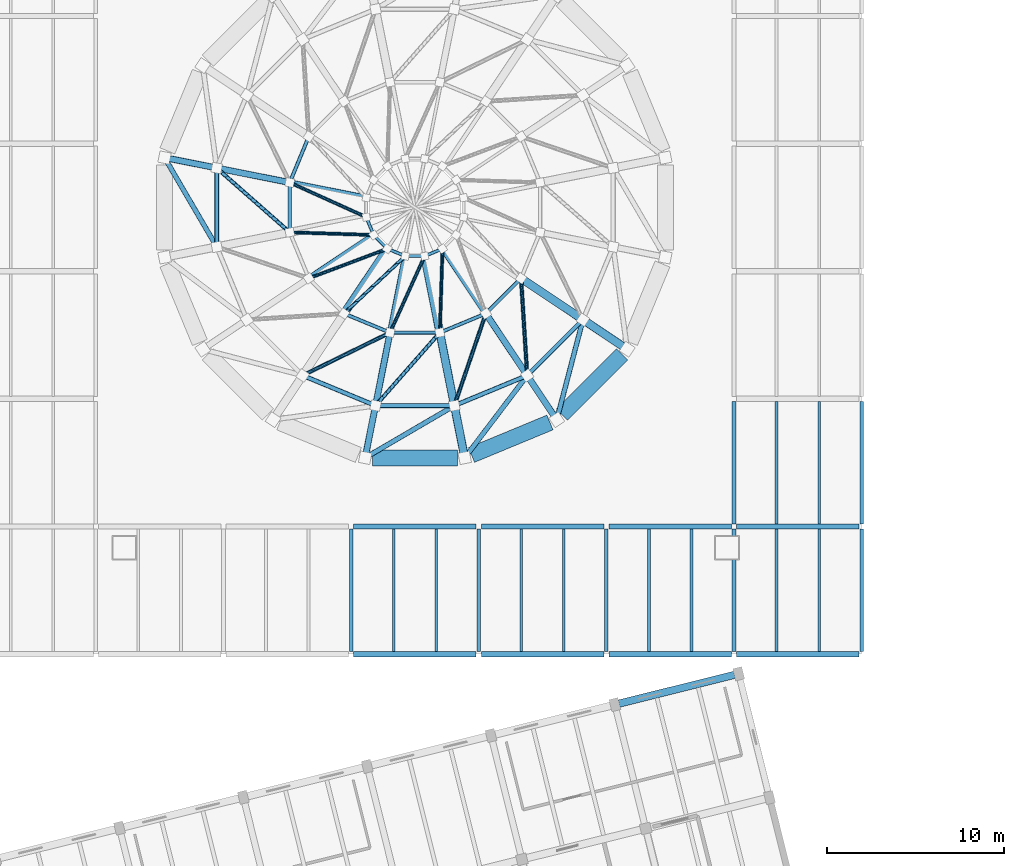
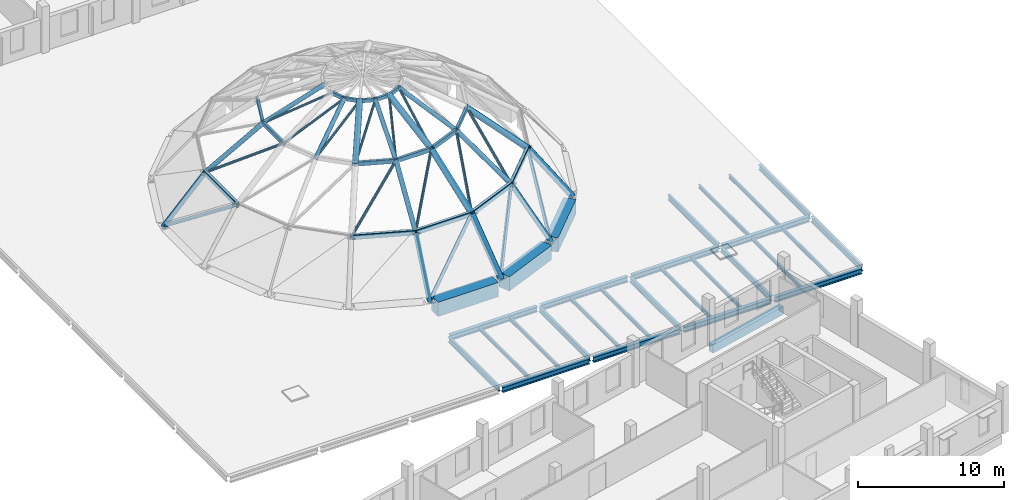
# One storey, part 7 of 32: 45 beams, 31 members.
"""IFC4 building model written with IfcOpenShell, lengths in metres."""

from ifc_helpers import new_model, si_unit, direction, frame, origin, origin_2d, place, context, subcontext, project, spatial, rectangle, hollow_rectangle, hollow_circle, i_section, extrude, material, material_profile, profile_set, type_object, element, save


model = new_model("IFC4")

# Units and contexts
model_context = context("Model", 3, precision=1e-05, world=origin(), true_north=direction((0.0, 1.0)))
body_context = subcontext(model_context, "Body", "Model", "MODEL_VIEW")
ifc_project = project(units=[si_unit("LENGTHUNIT", "METRE"), si_unit("AREAUNIT", "SQUARE_METRE"), si_unit("VOLUMEUNIT", "CUBIC_METRE"), si_unit("PLANEANGLEUNIT", "RADIAN"), si_unit("MASSUNIT", "GRAM", prefix="KILO")], contexts=[model_context])

# Site, building, storey
site_placement = place(None, origin())
site = spatial("IfcSite", under=ifc_project, at=site_placement, CompositionType="ELEMENT")
building_placement = place(site_placement, origin())
building = spatial("IfcBuilding", under=site, at=building_placement, Name="Qiaolan Assembly House", CompositionType="ELEMENT")
storey_placement = place(building_placement, frame((0.0, 0.0, 18.60009765625)))
storey = spatial("IfcBuildingStorey", under=building, at=storey_placement, Name="L04", CompositionType="ELEMENT", Elevation=18.60009765625)

# Beams
ifc_material_1 = material(Name="Steel Q355B", Category="steel")
ifc_material_profile_1 = material_profile(ifc_material_1, hollow_rectangle(XDim=0.179931640625, YDim=0.300048828125, WallThickness=0.010009765625, InnerFilletRadius=0.010009765625, OuterFilletRadius=0.02001953125, at=origin_2d()), Name="RHS 300x180x10")
ifc_profile_set_1 = profile_set([ifc_material_profile_1], Name="Steel Q355B")
beam_type_1 = type_object("IfcBeamType", Name="BM-DOME-RING-RHS300", PredefinedType="BEAM", material=ifc_profile_set_1)
for number, where, z_axis, x_axis, name in (
    (1, (65.623291015625, 60.7275390625, 9.199951171875), (0.382690409234, -0.923876642567, 0.0), (0.923876642567, 0.382690409234, 0.0), "DB-03 dome circumferential steel ring T3-9"),
    (2, (66.015380859375, 59.700927734375, 9.199951171875), (0.707106781187, -0.707106781187, 0.0), (0.707106781187, 0.707106781187, 0.0), "DB-03 dome circumferential steel ring T3-10"),
):
    element("IfcBeam", number, at=place(storey_placement, frame(where, z_axis=z_axis, x_axis=x_axis)), inside=storey, type_object=beam_type_1, Name=name, PredefinedType="BEAM", context=body_context, shape_type="SweptSolid", body=[
        extrude(hollow_rectangle(XDim=0.179931640625, YDim=0.300048828125, WallThickness=0.010009765625, InnerFilletRadius=0.010009765625, OuterFilletRadius=0.02001953125, at=origin_2d()), origin(), (0.0, 0.0, 1.0), 1.252197265625),
    ])
for number, where, z_axis, x_axis, name in (
    (3, (66.7705078125, 58.902587890625, 9.199951171875), (0.923836271867, -0.382787856107, 0.0), (0.382787856107, 0.923836271867, 0.0), "DB-03 dome circumferential steel ring T3-11"),
    (4, (67.773681640625, 58.453857421875, 9.199951171875), (1.0, 0.0, 0.0), (0.0, 1.0, 0.0), "DB-03 dome circumferential steel ring T3-12"),
    (5, (68.872314453125, 58.423095703125, 9.199951171875), (0.923836271867, 0.382787856107, 0.0), (-0.382787856107, 0.923836271867, 0.0), "DB-03 dome circumferential steel ring T3-13"),
):
    element("IfcBeam", number, at=place(storey_placement, frame(where, z_axis=z_axis, x_axis=x_axis)), inside=storey, type_object=beam_type_1, Name=name, PredefinedType="BEAM", context=body_context, shape_type="SweptSolid", body=[
        extrude(hollow_rectangle(XDim=0.179931640625, YDim=0.300048828125, WallThickness=0.010009765625, InnerFilletRadius=0.010009765625, OuterFilletRadius=0.02001953125, at=origin_2d()), origin(), (0.0, 0.0, 1.0), 1.252685546875),
    ])
ifc_material_profile_2 = material_profile(ifc_material_1, hollow_rectangle(XDim=0.199951171875, YDim=0.35009765625, WallThickness=0.010009765625, InnerFilletRadius=0.010009765625, OuterFilletRadius=0.02001953125, at=origin_2d()), Name="RHS 350x200x10")
ifc_profile_set_2 = profile_set([ifc_material_profile_2], Name="Steel Q355B")
beam_type_2 = type_object("IfcBeamType", Name="BM-DOME-RING-RHS350", PredefinedType="BEAM", material=ifc_profile_set_2)
for number, where, z_axis, x_axis, name in (
    (6, (62.444091796875, 65.27392578125, 7.0), (-0.382746343014, -0.923853471558, 0.0), (0.923853471558, -0.382746343014, 0.0), "DB-02 dome circumferential steel ring T2-7"),
    (7, (61.33837890625, 62.6845703125, 7.0), (0.0, -1.0, 0.0), (1.0, 0.0, 0.0), "DB-02 dome circumferential steel ring T2-8"),
):
    element("IfcBeam", number, at=place(storey_placement, frame(where, z_axis=z_axis, x_axis=x_axis)), inside=storey, type_object=beam_type_2, Name=name, PredefinedType="BEAM", context=body_context, shape_type="SweptSolid", body=[
        extrude(hollow_rectangle(XDim=0.199951171875, YDim=0.35009765625, WallThickness=0.010009765625, InnerFilletRadius=0.010009765625, OuterFilletRadius=0.02001953125, at=origin_2d()), origin(), (0.0, 0.0, 1.0), 2.96923828125),
    ])
for number, where, z_axis, x_axis, name in (
    (8, (64.325927734375, 55.244140625, 7.0), (0.92386551537, -0.382717270984, 0.0), (0.382717270984, 0.92386551537, 0.0), "DB-02 dome circumferential steel ring T2-11"),
    (9, (66.915283203125, 54.138427734375, 7.0), (1.0, 0.0, 0.0), (0.0, 1.0, 0.0), "DB-02 dome circumferential steel ring T2-12"),
    (10, (69.730712890625, 54.107666015625, 7.0), (0.92386551537, 0.382717270984, 0.0), (-0.382717270984, 0.92386551537, 0.0), "DB-02 dome circumferential steel ring T2-13"),
):
    element("IfcBeam", number, at=place(storey_placement, frame(where, z_axis=z_axis, x_axis=x_axis)), inside=storey, type_object=beam_type_2, Name=name, PredefinedType="BEAM", context=body_context, shape_type="SweptSolid", body=[
        extrude(hollow_rectangle(XDim=0.199951171875, YDim=0.35009765625, WallThickness=0.010009765625, InnerFilletRadius=0.010009765625, OuterFilletRadius=0.02001953125, at=origin_2d()), origin(), (0.0, 0.0, 1.0), 2.969482421875),
    ])
beam_1_placement = place(storey_placement, frame((72.343505859375, 55.15673828125, 7.0), z_axis=(0.707106781187, 0.707106781187, 0.0), x_axis=(-0.707106781187, 0.707106781187, 0.0)))
element("IfcBeam", 11, at=beam_1_placement, inside=storey, type_object=beam_type_2, Name="DB-02 dome circumferential steel ring T2-14", PredefinedType="BEAM", context=body_context, shape_type="SweptSolid", body=[
    extrude(hollow_rectangle(XDim=0.199951171875, YDim=0.35009765625, WallThickness=0.010009765625, InnerFilletRadius=0.010009765625, OuterFilletRadius=0.02001953125, at=origin_2d()), origin(), (0.0, 0.0, 1.0), 2.96923828125),
])
ifc_material_profile_3 = material_profile(ifc_material_1, hollow_rectangle(XDim=0.25, YDim=0.39990234375, WallThickness=0.011962890625, InnerFilletRadius=0.011962890625, OuterFilletRadius=0.02392578125, at=origin_2d()), Name="RHS 400x250x12")
ifc_profile_set_3 = profile_set([ifc_material_profile_3], Name="Steel Q355B")
beam_type_3 = type_object("IfcBeamType", Name="BM-DOME-RING-RHS400", PredefinedType="BEAM", material=ifc_profile_set_3)
for number, where, z_axis, x_axis, name in (
    (12, (57.218994140625, 63.504150390625, 3.7998046875), (0.0, -1.0, 0.0), (1.0, 0.0, 0.0), "DB-01 dome circumferential steel ring T1-8"),
    (13, (61.99267578125, 51.751953125, 3.7998046875), (0.923880583361, -0.382680895379, 0.0), (0.382680895379, 0.923880583361, 0.0), "DB-01 dome circumferential steel ring T1-11"),
    (14, (66.095947265625, 50.01904296875, 3.7998046875), (1.0, 0.0, 0.0), (0.0, 1.0, 0.0), "DB-01 dome circumferential steel ring T1-12"),
    (15, (70.550048828125, 49.988525390625, 3.7998046875), (0.923880583361, 0.382680895379, 0.0), (-0.382680895379, 0.923880583361, 0.0), "DB-01 dome circumferential steel ring T1-13"),
):
    element("IfcBeam", number, at=place(storey_placement, frame(where, z_axis=z_axis, x_axis=x_axis)), inside=storey, type_object=beam_type_3, Name=name, PredefinedType="BEAM", context=body_context, shape_type="SweptSolid", body=[
        extrude(hollow_rectangle(XDim=0.25, YDim=0.39990234375, WallThickness=0.011962890625, InnerFilletRadius=0.011962890625, OuterFilletRadius=0.02392578125, at=origin_2d()), origin(), (0.0, 0.0, 1.0), 4.608154296875),
    ])
beam_2_placement = place(storey_placement, frame((74.677001953125, 51.664794921875, 3.7998046875), z_axis=(0.707106781187, 0.707106781187, 0.0), x_axis=(-0.707106781187, 0.707106781187, 0.0)))
element("IfcBeam", 16, at=beam_2_placement, inside=storey, type_object=beam_type_3, Name="DB-01 dome circumferential steel ring T1-14", PredefinedType="BEAM", context=body_context, shape_type="SweptSolid", body=[
    extrude(hollow_rectangle(XDim=0.25, YDim=0.39990234375, WallThickness=0.011962890625, InnerFilletRadius=0.011962890625, OuterFilletRadius=0.02392578125, at=origin_2d()), origin(), (0.0, 0.0, 1.0), 4.60791015625),
])
ifc_material_2 = material(Name="Concrete C40/50", Category="concrete")
ifc_material_profile_4 = material_profile(ifc_material_2, rectangle(XDim=0.419921875, YDim=0.679931640625, at=origin_2d()), Name="RCB 420x680")
ifc_profile_set_4 = profile_set([ifc_material_profile_4], Name="Concrete C40/50")
beam_type_4 = type_object("IfcBeamType", Name="BM-RC-420x680", PredefinedType="BEAM", material=ifc_profile_set_4)
beam_3_placement = place(storey_placement, frame((79.91015625, 33.209228515625, -0.55517578125), z_axis=(0.970296172283, 0.241920106756, 0.0), x_axis=(-0.241920106756, 0.970296172283, 0.0)))
element("IfcBeam", 17, at=beam_3_placement, inside=storey, type_object=beam_type_4, Name="GB-12 beam BMU-SE-L04-06-03", PredefinedType="BEAM", context=body_context, shape_type="SweptSolid", body=[
    extrude(rectangle(XDim=0.419921875, YDim=0.679931640625, at=origin_2d()), origin(), (0.0, 0.0, 1.0), 6.72021484375),
])
ifc_material_3 = material(Name="Concrete C50/60", Category="concrete")
ifc_material_profile_5 = material_profile(ifc_material_3, rectangle(XDim=0.89990234375, YDim=1.199951171875, at=origin_2d()), Name="RCB 900x1200")
ifc_profile_set_5 = profile_set([ifc_material_profile_5], Name="Concrete C50/60")
beam_type_5 = type_object("IfcBeamType", Name="BM-RING-900x1200", PredefinedType="BEAM", material=ifc_profile_set_5)
for number, where, z_axis, x_axis, name in (
    (18, (66.005615234375, 47.07666015625, -0.60009765625), (1.0, 0.0, 0.0), (0.0, 1.0, 0.0), "RB-01 beam BM-DOME-THRUST-RING-11"),
    (19, (71.5927734375, 47.235595703125, -0.60009765625), (0.923878882938, 0.38268500057, 0.0), (-0.38268500057, 0.923878882938, 0.0), "RB-01 beam BM-DOME-THRUST-RING-12"),
    (20, (76.693603515625, 49.520263671875, -0.60009765625), (0.707132272157, 0.707081289297, 0.0), (-0.707081289297, 0.707132272157, 0.0), "RB-01 beam BM-DOME-THRUST-RING-13"),
):
    element("IfcBeam", number, at=place(storey_placement, frame(where, z_axis=z_axis, x_axis=x_axis)), inside=storey, type_object=beam_type_5, Name=name, PredefinedType="BEAM", context=body_context, shape_type="SweptSolid", body=[
        extrude(rectangle(XDim=0.89990234375, YDim=1.199951171875, at=origin_2d()), origin(), (0.0, 0.0, 1.0), 4.78857421875),
    ])
ifc_material_profile_6 = material_profile(ifc_material_1, i_section(OverallWidth=0.300048828125, OverallDepth=0.43994140625, WebThickness=0.010986328125, FlangeThickness=0.01806640625, FilletRadius=0.02001953125, at=origin_2d()), Name="HM 440x300x11x18")
ifc_profile_set_6 = profile_set([ifc_material_profile_6], Name="Steel Q355B")
beam_type_6 = type_object("IfcBeamType", Name="BM-STL-HM440", PredefinedType="BEAM", material=ifc_profile_set_6)
for number, where, z_axis, x_axis, name in (
    (21, (64.945068359375, 36.0, -0.465087890625), (1.0, 0.0, 0.0), (0.0, 1.0, 0.0), "SB-06 beam BMX-HLCR-L04-03-00"),
    (22, (72.14501953125, 36.0, -0.465087890625), (1.0, 0.0, 0.0), (0.0, 1.0, 0.0), "SB-06 beam BMX-HLCR-L04-04-00"),
    (23, (79.344970703125, 36.0, -0.465087890625), (1.0, 0.0, 0.0), (0.0, 1.0, 0.0), "SB-06 beam BMX-HLCR-L04-05-00"),
):
    element("IfcBeam", number, at=place(storey_placement, frame(where, z_axis=z_axis, x_axis=x_axis)), inside=storey, type_object=beam_type_6, Name=name, PredefinedType="BEAM", context=body_context, shape_type="SweptSolid", body=[
        extrude(i_section(OverallWidth=0.300048828125, OverallDepth=0.43994140625, WebThickness=0.010986328125, FlangeThickness=0.01806640625, FilletRadius=0.02001953125, at=origin_2d()), origin(), (0.0, 0.0, 1.0), 6.909912109375),
    ])
beam_4_placement = place(storey_placement, frame((86.544921875, 36.0, -0.465087890625), z_axis=(1.0, 0.0, 0.0), x_axis=(0.0, 1.0, 0.0)))
element("IfcBeam", 24, at=beam_4_placement, inside=storey, type_object=beam_type_6, Name="SB-06 beam BMX-HLCR-L04-06-00", PredefinedType="BEAM", context=body_context, shape_type="SweptSolid", body=[
    extrude(i_section(OverallWidth=0.300048828125, OverallDepth=0.43994140625, WebThickness=0.010986328125, FlangeThickness=0.01806640625, FilletRadius=0.02001953125, at=origin_2d()), origin(), (0.0, 0.0, 1.0), 6.91015625),
])
for number, where, z_axis, x_axis, name in (
    (25, (64.945068359375, 43.199951171875, -0.465087890625), (1.0, 0.0, 0.0), (0.0, 1.0, 0.0), "SB-06 beam BMX-HLCR-L04-03-01"),
    (26, (72.14501953125, 43.199951171875, -0.465087890625), (1.0, 0.0, 0.0), (0.0, 1.0, 0.0), "SB-06 beam BMX-HLCR-L04-04-01"),
    (27, (79.344970703125, 43.199951171875, -0.465087890625), (1.0, 0.0, 0.0), (0.0, 1.0, 0.0), "SB-06 beam BMX-HLCR-L04-05-01"),
):
    element("IfcBeam", number, at=place(storey_placement, frame(where, z_axis=z_axis, x_axis=x_axis)), inside=storey, type_object=beam_type_6, Name=name, PredefinedType="BEAM", context=body_context, shape_type="SweptSolid", body=[
        extrude(i_section(OverallWidth=0.300048828125, OverallDepth=0.43994140625, WebThickness=0.010986328125, FlangeThickness=0.01806640625, FilletRadius=0.02001953125, at=origin_2d()), origin(), (0.0, 0.0, 1.0), 6.909912109375),
    ])
beam_5_placement = place(storey_placement, frame((86.544921875, 43.199951171875, -0.465087890625), z_axis=(1.0, 0.0, 0.0), x_axis=(0.0, 1.0, 0.0)))
element("IfcBeam", 28, at=beam_5_placement, inside=storey, type_object=beam_type_6, Name="SB-06 beam BMX-HLCR-L04-06-01", PredefinedType="BEAM", context=body_context, shape_type="SweptSolid", body=[
    extrude(i_section(OverallWidth=0.300048828125, OverallDepth=0.43994140625, WebThickness=0.010986328125, FlangeThickness=0.01806640625, FilletRadius=0.02001953125, at=origin_2d()), origin(), (0.0, 0.0, 1.0), 6.91015625),
])
ifc_material_profile_7 = material_profile(ifc_material_1, i_section(OverallWidth=0.199951171875, OverallDepth=0.449951171875, WebThickness=0.009033203125, FlangeThickness=0.013916015625, FilletRadius=0.01611328125, at=origin_2d()), Name="HN 450x200x9x14")
ifc_profile_set_7 = profile_set([ifc_material_profile_7], Name="Steel Q355B")
beam_type_7 = type_object("IfcBeamType", Name="BM-STL-HN450", PredefinedType="BEAM", material=ifc_profile_set_7)
for number, where, z_axis, x_axis, name in (
    (29, (64.800048828125, 36.14501953125, -0.47021484375), (0.0, 1.0, 0.0), (-1.0, 0.0, 0.0), "SB-07 beam BMY-HLCR-L04-03-00"),
    (30, (72.0, 36.14501953125, -0.47021484375), (0.0, 1.0, 0.0), (-1.0, 0.0, 0.0), "SB-07 beam BMY-HLCR-L04-04-00"),
    (31, (79.199951171875, 36.14501953125, -0.47021484375), (0.0, 1.0, 0.0), (-1.0, 0.0, 0.0), "SB-07 beam BMY-HLCR-L04-05-00"),
    (32, (86.39990234375, 36.14501953125, -0.47021484375), (0.0, 1.0, 0.0), (-1.0, 0.0, 0.0), "SB-07 beam BMY-HLCR-L04-06-00"),
    (33, (86.39990234375, 43.344970703125, -0.47021484375), (0.0, 1.0, 0.0), (-1.0, 0.0, 0.0), "SB-07 beam BMY-HLCR-L04-06-01"),
    (34, (93.60009765625, 36.14501953125, -0.47021484375), (0.0, 1.0, 0.0), (-1.0, 0.0, 0.0), "SB-07 beam BMY-HLCR-L04-07-00"),
    (35, (93.60009765625, 43.344970703125, -0.47021484375), (0.0, 1.0, 0.0), (-1.0, 0.0, 0.0), "SB-07 beam BMY-HLCR-L04-07-01"),
):
    element("IfcBeam", number, at=place(storey_placement, frame(where, z_axis=z_axis, x_axis=x_axis)), inside=storey, type_object=beam_type_7, Name=name, PredefinedType="BEAM", context=body_context, shape_type="SweptSolid", body=[
        extrude(i_section(OverallWidth=0.199951171875, OverallDepth=0.449951171875, WebThickness=0.009033203125, FlangeThickness=0.013916015625, FilletRadius=0.01611328125, at=origin_2d()), origin(), (0.0, 0.0, 1.0), 6.909912109375),
    ])
ifc_material_profile_8 = material_profile(ifc_material_1, i_section(OverallWidth=0.14990234375, OverallDepth=0.300048828125, WebThickness=0.006591796875, FlangeThickness=0.009033203125, FilletRadius=0.012939453125, at=origin_2d()), Name="HN 300x150x6.5x9")
ifc_profile_set_8 = profile_set([ifc_material_profile_8], Name="Steel Q355B")
beam_type_8 = type_object("IfcBeamType", Name="JST-STL-HN300", PredefinedType="JOIST", material=ifc_profile_set_8)
for number, where, z_axis, x_axis, name in (
    (36, (67.199951171875, 36.14404296875, -0.39501953125), (0.0, 1.0, 0.0), (-1.0, 0.0, 0.0), "SJ-02 beam JST-HLCR-L04-03-00-1"),
    (37, (69.60009765625, 36.14404296875, -0.39501953125), (0.0, 1.0, 0.0), (-1.0, 0.0, 0.0), "SJ-02 beam JST-HLCR-L04-03-00-2"),
    (38, (74.39990234375, 36.14404296875, -0.39501953125), (0.0, 1.0, 0.0), (-1.0, 0.0, 0.0), "SJ-02 beam JST-HLCR-L04-04-00-1"),
    (39, (76.800048828125, 36.14404296875, -0.39501953125), (0.0, 1.0, 0.0), (-1.0, 0.0, 0.0), "SJ-02 beam JST-HLCR-L04-04-00-2"),
    (40, (81.60009765625, 36.14404296875, -0.39501953125), (0.0, 1.0, 0.0), (-1.0, 0.0, 0.0), "SJ-02 beam JST-HLCR-L04-05-00-1"),
    (41, (84.0, 36.14404296875, -0.39501953125), (0.0, 1.0, 0.0), (-1.0, 0.0, 0.0), "SJ-02 beam JST-HLCR-L04-05-00-2"),
    (42, (88.800048828125, 36.14404296875, -0.39501953125), (0.0, 1.0, 0.0), (-1.0, 0.0, 0.0), "SJ-02 beam JST-HLCR-L04-06-00-1"),
    (43, (91.199951171875, 36.14404296875, -0.39501953125), (0.0, 1.0, 0.0), (-1.0, 0.0, 0.0), "SJ-02 beam JST-HLCR-L04-06-00-2"),
):
    element("IfcBeam", number, at=place(storey_placement, frame(where, z_axis=z_axis, x_axis=x_axis)), inside=storey, type_object=beam_type_8, Name=name, PredefinedType="JOIST", context=body_context, shape_type="SweptSolid", body=[
        extrude(i_section(OverallWidth=0.14990234375, OverallDepth=0.300048828125, WebThickness=0.006591796875, FlangeThickness=0.009033203125, FilletRadius=0.012939453125, at=origin_2d()), origin(), (0.0, 0.0, 1.0), 6.911865234375),
    ])
for number, where, z_axis, x_axis, name in (
    (44, (88.800048828125, 43.343994140625, -0.39501953125), (0.0, 1.0, 0.0), (-1.0, 0.0, 0.0), "SJ-02 beam JST-HLCR-L04-06-01-1"),
    (45, (91.199951171875, 43.343994140625, -0.39501953125), (0.0, 1.0, 0.0), (-1.0, 0.0, 0.0), "SJ-02 beam JST-HLCR-L04-06-01-2"),
):
    element("IfcBeam", number, at=place(storey_placement, frame(where, z_axis=z_axis, x_axis=x_axis)), inside=storey, type_object=beam_type_8, Name=name, PredefinedType="JOIST", context=body_context, shape_type="SweptSolid", body=[
        extrude(i_section(OverallWidth=0.14990234375, OverallDepth=0.300048828125, WebThickness=0.006591796875, FlangeThickness=0.009033203125, FilletRadius=0.012939453125, at=origin_2d()), origin(), (0.0, 0.0, 1.0), 6.912109375),
    ])

# Members
ifc_material_profile_9 = material_profile(ifc_material_1, hollow_circle(Radius=0.096923828125, WallThickness=0.008056640625, at=origin_2d()), Name="CHS 194x8")
ifc_profile_set_9 = profile_set([ifc_material_profile_9], Name="Steel Q355B")
member_type_1 = type_object("IfcMemberType", Name="MBR-BRACE-DOME-CHS194", PredefinedType="BRACE", material=ifc_profile_set_9)
member_1_placement = place(storey_placement, frame((61.272216796875, 62.634521484375, 6.96630859375), z_axis=(0.826406016526, -0.373601929526, 0.421277455016), x_axis=(0.411940485362, 0.911210753075, 0.0)))
element("IfcMember", 46, at=member_1_placement, inside=storey, type_object=member_type_1, Name="BR-04 dome wind-uplift brace T2-8", PredefinedType="BRACE", context=body_context, shape_type="SweptSolid", body=[
    extrude(hollow_circle(Radius=0.096923828125, WallThickness=0.008056640625, at=origin_2d()), origin(), (0.0, 0.0, 1.0), 5.382080078125),
])
member_2_placement = place(storey_placement, frame((61.265869140625, 59.797607421875, 6.96630859375), z_axis=(0.906463047843, -0.028896855244, 0.42129528202), x_axis=(0.031862504783, 0.999492261495, 0.0)))
element("IfcMember", 47, at=member_2_placement, inside=storey, type_object=member_type_1, Name="BR-04 dome wind-uplift brace T2-9", PredefinedType="BRACE", context=body_context, shape_type="SweptSolid", body=[
    extrude(hollow_circle(Radius=0.096923828125, WallThickness=0.008056640625, at=origin_2d()), origin(), (0.0, 0.0, 1.0), 5.3818359375),
])
for number, where, z_axis, x_axis, name in (
    (48, (62.345458984375, 57.17431640625, 6.96630859375), (0.848540449596, 0.320164572504, 0.421276336758), (-0.353019252395, 0.935616057707, 0.0), "BR-04 dome wind-uplift brace T2-10"),
    (49, (64.346923828125, 55.163818359375, 6.96630859375), (0.661428706492, 0.6205118494, 0.421280323516), (-0.684188993036, 0.729304752355, 0.0), "BR-04 dome wind-uplift brace T2-11"),
):
    element("IfcMember", number, at=place(storey_placement, frame(where, z_axis=z_axis, x_axis=x_axis)), inside=storey, type_object=member_type_1, Name=name, PredefinedType="BRACE", context=body_context, shape_type="SweptSolid", body=[
        extrude(hollow_circle(Radius=0.096923828125, WallThickness=0.008056640625, at=origin_2d()), origin(), (0.0, 0.0, 1.0), 5.382080078125),
    ])
for number, where, z_axis, x_axis, name in (
    (50, (66.965576171875, 54.072265625, 6.96630859375), (0.373562898037, 0.826420021426, 0.421284594302), (-0.911229527148, 0.411898954664, 0.0), "BR-04 dome wind-uplift brace T2-12"),
    (51, (69.80224609375, 54.06591796875, 6.96630859375), (0.028942181254, 0.906461858652, 0.421294729321), (-0.999490667307, 0.031912473513, 0.0), "BR-04 dome wind-uplift brace T2-13"),
):
    element("IfcMember", number, at=place(storey_placement, frame(where, z_axis=z_axis, x_axis=x_axis)), inside=storey, type_object=member_type_1, Name=name, PredefinedType="BRACE", context=body_context, shape_type="SweptSolid", body=[
        extrude(hollow_circle(Radius=0.096923828125, WallThickness=0.008056640625, at=origin_2d()), origin(), (0.0, 0.0, 1.0), 5.3818359375),
    ])
ifc_material_profile_10 = material_profile(ifc_material_1, hollow_circle(Radius=0.109619140625, WallThickness=0.008056640625, at=origin_2d()), Name="CHS 219.1x8")
ifc_profile_set_10 = profile_set([ifc_material_profile_10], Name="Steel Q355B")
member_type_2 = type_object("IfcMemberType", Name="MBR-BRACE-DOME-CHS219", PredefinedType="BRACE", material=ifc_profile_set_10)
for number, where, z_axis, x_axis, name in (
    (52, (57.167236328125, 63.4697265625, 3.759521484375), (0.648263337294, -0.5710578985, 0.503634313844), (0.661010188083, 0.750376926118, 0.0), "BR-02 dome wind-uplift brace T1-8"),
    (53, (62.00439453125, 51.69091796875, 3.759521484375), (0.775681273846, 0.380363784523, 0.503628784749), (-0.440276545257, 0.89786221866, 0.0), "BR-02 dome wind-uplift brace T1-11"),
    (54, (66.13037109375, 49.96728515625, 3.759521484375), (0.5710578985, 0.648263337294, 0.503634313844), (-0.750376926118, 0.661010188083, 0.0), "BR-02 dome wind-uplift brace T1-12"),
):
    element("IfcMember", number, at=place(storey_placement, frame(where, z_axis=z_axis, x_axis=x_axis)), inside=storey, type_object=member_type_2, Name=name, PredefinedType="BRACE", context=body_context, shape_type="SweptSolid", body=[
        extrude(hollow_circle(Radius=0.109619140625, WallThickness=0.008056640625, at=origin_2d()), origin(), (0.0, 0.0, 1.0), 6.51416015625),
    ])
member_3_placement = place(storey_placement, frame((70.6015625, 49.95361328125, 3.759521484375), z_axis=(0.279507246244, 0.817459379871, 0.503622737333), x_axis=(-0.946217115424, 0.323532332974, 0.0)))
element("IfcMember", 55, at=member_3_placement, inside=storey, type_object=member_type_2, Name="BR-02 dome wind-uplift brace T1-13", PredefinedType="BRACE", context=body_context, shape_type="SweptSolid", body=[
    extrude(hollow_circle(Radius=0.109619140625, WallThickness=0.008056640625, at=origin_2d()), origin(), (0.0, 0.0, 1.0), 6.514404296875),
])
member_4_placement = place(storey_placement, frame((74.73779296875, 51.65234375, 3.759521484375), z_axis=(-0.054568596943, 0.862191327383, 0.503635168762), x_axis=(-0.998003147765, -0.063164207048, 0.0)))
element("IfcMember", 56, at=member_4_placement, inside=storey, type_object=member_type_2, Name="BR-02 dome wind-uplift brace T1-14", PredefinedType="BRACE", context=body_context, shape_type="SweptSolid", body=[
    extrude(hollow_circle(Radius=0.109619140625, WallThickness=0.008056640625, at=origin_2d()), origin(), (0.0, 0.0, 1.0), 6.51416015625),
])
ifc_material_profile_11 = material_profile(ifc_material_1, hollow_circle(Radius=0.136474609375, WallThickness=0.010009765625, at=origin_2d()), Name="CHS 273x10")
ifc_profile_set_11 = profile_set([ifc_material_profile_11], Name="Steel Q355B")
member_type_3 = type_object("IfcMemberType", Name="MBR-BRACE-DOME-CHS273", PredefinedType="BRACE", material=ifc_profile_set_11)
for number, where, z_axis, x_axis, name in (
    (57, (54.242919921875, 64.067138671875, -0.043701171875), (0.422806001989, -0.723252379103, 0.546022967286), (0.863306397552, 0.504680160048, 0.0), "BR-01 dome wind-uplift brace T0-8"),
    (58, (65.532958984375, 47.04296875, -0.043701171875), (0.723252379103, 0.422806001989, 0.546022967286), (-0.504680160048, 0.863306397552, 0.0), "BR-01 dome wind-uplift brace T0-12"),
):
    element("IfcMember", number, at=place(storey_placement, frame(where, z_axis=z_axis, x_axis=x_axis)), inside=storey, type_object=member_type_3, Name=name, PredefinedType="BRACE", context=body_context, shape_type="SweptSolid", body=[
        extrude(hollow_circle(Radius=0.136474609375, WallThickness=0.010009765625, at=origin_2d()), origin(), (0.0, 0.0, 1.0), 7.119140625),
    ])
member_5_placement = place(storey_placement, frame((71.168701171875, 47.023193359375, -0.043701171875), z_axis=(0.506401514391, 0.667406126707, 0.546009677804), x_axis=(-0.796637576051, 0.604457254422, 0.0)))
element("IfcMember", 59, at=member_5_placement, inside=storey, type_object=member_type_3, Name="BR-01 dome wind-uplift brace T0-13", PredefinedType="BRACE", context=body_context, shape_type="SweptSolid", body=[
    extrude(hollow_circle(Radius=0.136474609375, WallThickness=0.010009765625, at=origin_2d()), origin(), (0.0, 0.0, 1.0), 7.119384765625),
])
member_6_placement = place(storey_placement, frame((76.38330078125, 49.162109375, -0.043701171875), z_axis=(0.212447726427, 0.810387768071, 0.546019806323), x_axis=(-0.967312717474, 0.253586487442, 0.0)))
element("IfcMember", 60, at=member_6_placement, inside=storey, type_object=member_type_3, Name="BR-01 dome wind-uplift brace T0-14", PredefinedType="BRACE", context=body_context, shape_type="SweptSolid", body=[
    extrude(hollow_circle(Radius=0.136474609375, WallThickness=0.010009765625, at=origin_2d()), origin(), (0.0, 0.0, 1.0), 7.119140625),
])
ifc_material_profile_12 = material_profile(ifc_material_1, hollow_circle(Radius=0.16259765625, WallThickness=0.010009765625, at=origin_2d()), Name="CHS 325x10")
ifc_profile_set_12 = profile_set([ifc_material_profile_12], Name="Steel Q355B")
member_type_4 = type_object("IfcMemberType", Name="MBR-DOME-RIB-CHS325", PredefinedType="CHORD", material=ifc_profile_set_12)
member_7_placement = place(storey_placement, frame((61.250732421875, 62.6220703125, 6.955078125), z_axis=(0.877224175345, -0.174500557659, 0.447244118538), x_axis=(0.195100883647, 0.980783179505, 0.0)))
element("IfcMember", 61, at=member_7_placement, inside=storey, type_object=member_type_4, Name="DR-03 secondary dome radial rib bay 4", PredefinedType="CHORD", context=body_context, shape_type="SweptSolid", body=[
    extrude(hollow_circle(Radius=0.16259765625, WallThickness=0.010009765625, at=origin_2d()), origin(), (0.0, 0.0, 1.0), 5.119140625),
])
for number, where, z_axis, x_axis, name in (
    (62, (62.339111328125, 57.150146484375, 6.955078125), (0.743671628524, 0.496925636092, 0.447233072483), (-0.555585800395, 0.831459210304, 0.0), "DR-03 secondary dome radial rib bay 5"),
    (63, (66.977783203125, 54.050537109375, 6.955078125), (0.1744932576, 0.877235166318, 0.44722540852), (-0.980785208968, 0.195090681142, 0.0), "DR-03 secondary dome radial rib bay 6"),
):
    element("IfcMember", number, at=place(storey_placement, frame(where, z_axis=z_axis, x_axis=x_axis)), inside=storey, type_object=member_type_4, Name=name, PredefinedType="CHORD", context=body_context, shape_type="SweptSolid", body=[
        extrude(hollow_circle(Radius=0.16259765625, WallThickness=0.010009765625, at=origin_2d()), origin(), (0.0, 0.0, 1.0), 5.119384765625),
    ])
member_8_placement = place(storey_placement, frame((72.44970703125, 55.13916015625, 6.955078125), z_axis=(-0.496889721451, 0.743689251973, 0.447243670963), x_axis=(-0.831483840845, -0.55554893791, 0.0)))
element("IfcMember", 64, at=member_8_placement, inside=storey, type_object=member_type_4, Name="DR-03 secondary dome radial rib bay 7", PredefinedType="CHORD", context=body_context, shape_type="SweptSolid", body=[
    extrude(hollow_circle(Radius=0.16259765625, WallThickness=0.010009765625, at=origin_2d()), origin(), (0.0, 0.0, 1.0), 5.119140625),
])
ifc_material_profile_13 = material_profile(ifc_material_1, hollow_circle(Radius=0.177734375, WallThickness=0.011962890625, at=origin_2d()), Name="CHS 355.6x12")
ifc_profile_set_13 = profile_set([ifc_material_profile_13], Name="Steel Q355B")
member_type_5 = type_object("IfcMemberType", Name="MBR-DOME-RIB-CHS355", PredefinedType="CHORD", material=ifc_profile_set_13)
for number, where, z_axis, x_axis, name in (
    (65, (54.191650390625, 64.026123046875, -0.10986328125), (0.607737173659, -0.12088439631, 0.784883743291), (0.195087149438, 0.980785911463, 0.0), "DR-02 secondary dome radial rib bay 4"),
    (66, (65.57373046875, 46.99169921875, -0.10986328125), (0.12088439631, 0.607737173659, 0.784883743291), (-0.980785911463, 0.195087149438, 0.0), "DR-02 secondary dome radial rib bay 6"),
    (67, (76.448486328125, 49.15478515625, -0.10986328125), (-0.344296803275, 0.515196011934, 0.784877557675), (-0.831429477931, -0.555630293654, 0.0), "DR-02 secondary dome radial rib bay 7"),
):
    element("IfcMember", number, at=place(storey_placement, frame(where, z_axis=z_axis, x_axis=x_axis)), inside=storey, type_object=member_type_5, Name=name, PredefinedType="CHORD", context=body_context, shape_type="SweptSolid", body=[
        extrude(hollow_circle(Radius=0.177734375, WallThickness=0.011962890625, at=origin_2d()), origin(), (0.0, 0.0, 1.0), 5.081298828125),
    ])
member_9_placement = place(storey_placement, frame((57.14111328125, 63.439453125, 3.7392578125), z_axis=(0.780129469801, -0.155170518149, 0.606069402499), x_axis=(0.195081999731, 0.980786935772, 0.0)))
element("IfcMember", 68, at=member_9_placement, inside=storey, type_object=member_type_5, Name="DR-02 secondary dome radial rib bay 4", PredefinedType="CHORD", context=body_context, shape_type="SweptSolid", body=[
    extrude(hollow_circle(Radius=0.177734375, WallThickness=0.011962890625, at=origin_2d()), origin(), (0.0, 0.0, 1.0), 5.47998046875),
])
for number, where, z_axis, x_axis, name in (
    (69, (66.160400390625, 49.94091796875, 3.7392578125), (0.155208601508, 0.780141512516, 0.606044148942), (-0.980778350386, 0.195125158334, 0.0), "DR-02 secondary dome radial rib bay 6"),
    (70, (74.777587890625, 51.655029296875, 3.7392578125), (-0.441889151845, 0.661385860298, 0.60605504806), (-0.83148979356, -0.555540028447, 0.0), "DR-02 secondary dome radial rib bay 7"),
):
    element("IfcMember", number, at=place(storey_placement, frame(where, z_axis=z_axis, x_axis=x_axis)), inside=storey, type_object=member_type_5, Name=name, PredefinedType="CHORD", context=body_context, shape_type="SweptSolid", body=[
        extrude(hollow_circle(Radius=0.177734375, WallThickness=0.011962890625, at=origin_2d()), origin(), (0.0, 0.0, 1.0), 5.480224609375),
    ])
ifc_material_profile_14 = material_profile(ifc_material_1, hollow_circle(Radius=0.228515625, WallThickness=0.01611328125, at=origin_2d()), Name="CHS 457x16")
ifc_profile_set_14 = profile_set([ifc_material_profile_14], Name="Steel Q355B")
member_type_6 = type_object("IfcMemberType", Name="MBR-DOME-RIB-CHS457", PredefinedType="CHORD", material=ifc_profile_set_14)
member_10_placement = place(storey_placement, frame((71.226318359375, 46.99169921875, -0.10986328125), z_axis=(-0.12088439631, 0.607737173659, 0.784883743291), x_axis=(-0.980785911463, -0.195087149438, 0.0)))
element("IfcMember", 71, at=member_10_placement, inside=storey, type_object=member_type_6, Name="DR-01 primary dome radial rib bay 7", PredefinedType="CHORD", context=body_context, shape_type="SweptSolid", body=[
    extrude(hollow_circle(Radius=0.228515625, WallThickness=0.01611328125, at=origin_2d()), origin(), (0.0, 0.0, 1.0), 5.081298828125),
])
member_11_placement = place(storey_placement, frame((80.4453125, 53.151611328125, -0.10986328125), z_axis=(-0.51523982601, 0.344245930004, 0.78487111131), x_axis=(-0.555540873375, -0.83148922904, 0.0)))
element("IfcMember", 72, at=member_11_placement, inside=storey, type_object=member_type_6, Name="DR-01 primary dome radial rib bay 8", PredefinedType="CHORD", context=body_context, shape_type="SweptSolid", body=[
    extrude(hollow_circle(Radius=0.228515625, WallThickness=0.01611328125, at=origin_2d()), origin(), (0.0, 0.0, 1.0), 5.08154296875),
])
for number, where, z_axis, x_axis, name in (
    (73, (70.6396484375, 49.94091796875, 3.7392578125), (-0.155208601508, 0.780141512516, 0.606044148942), (-0.980778350386, -0.195125158334, 0.0), "DR-01 primary dome radial rib bay 7"),
    (74, (77.94482421875, 54.822265625, 3.7392578125), (-0.661347776256, 0.441938022261, 0.60606097327), (-0.555604621472, -0.831446633645, 0.0), "DR-01 primary dome radial rib bay 8"),
):
    element("IfcMember", number, at=place(storey_placement, frame(where, z_axis=z_axis, x_axis=x_axis)), inside=storey, type_object=member_type_6, Name=name, PredefinedType="CHORD", context=body_context, shape_type="SweptSolid", body=[
        extrude(hollow_circle(Radius=0.228515625, WallThickness=0.01611328125, at=origin_2d()), origin(), (0.0, 0.0, 1.0), 5.480224609375),
    ])
for number, where, z_axis, x_axis, name in (
    (75, (64.35009765625, 55.13916015625, 6.955078125), (0.496925636092, 0.743671628524, 0.447233072483), (-0.831459210304, 0.555585800395, 0.0), "DR-01 primary dome radial rib bay 6"),
    (76, (69.822021484375, 54.050537109375, 6.955078125), (-0.1744932576, 0.877235166318, 0.44722540852), (-0.980785208968, -0.195090681142, 0.0), "DR-01 primary dome radial rib bay 7"),
):
    element("IfcMember", number, at=place(storey_placement, frame(where, z_axis=z_axis, x_axis=x_axis)), inside=storey, type_object=member_type_6, Name=name, PredefinedType="CHORD", context=body_context, shape_type="SweptSolid", body=[
        extrude(hollow_circle(Radius=0.228515625, WallThickness=0.01611328125, at=origin_2d()), origin(), (0.0, 0.0, 1.0), 5.119384765625),
    ])

save(model, "model.ifc")
